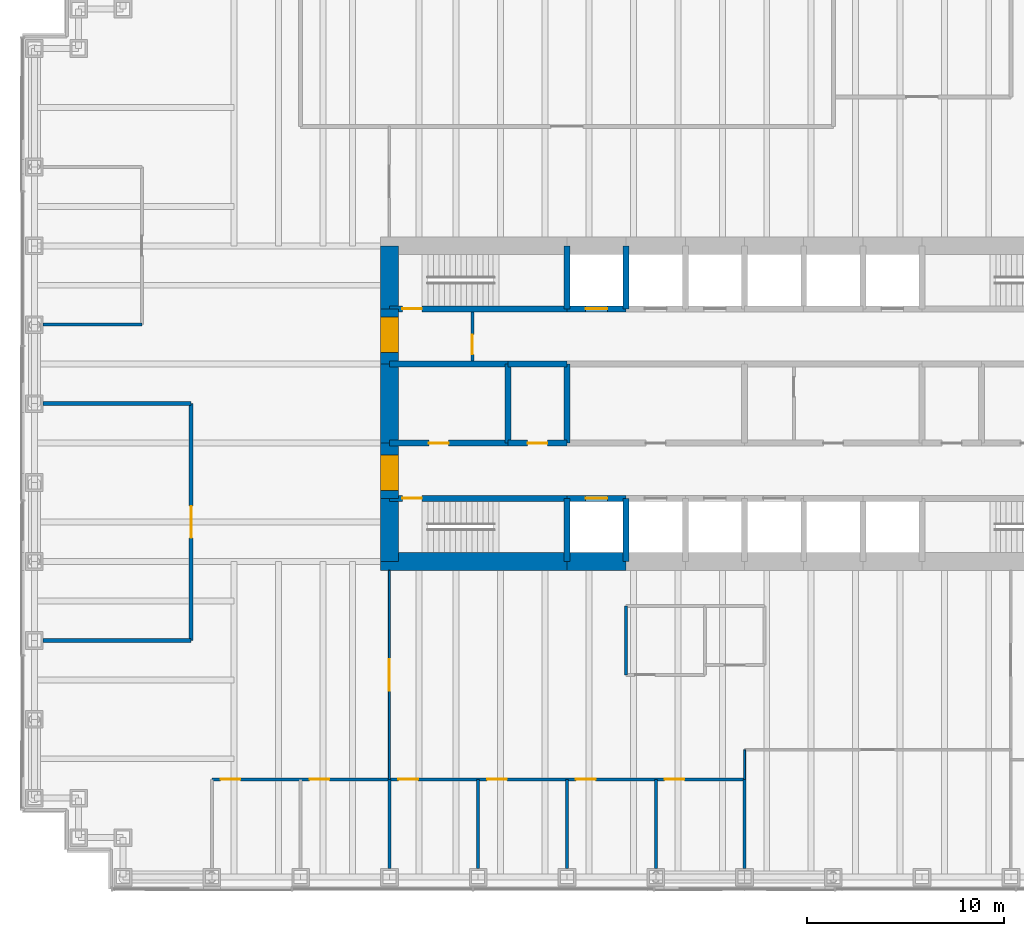
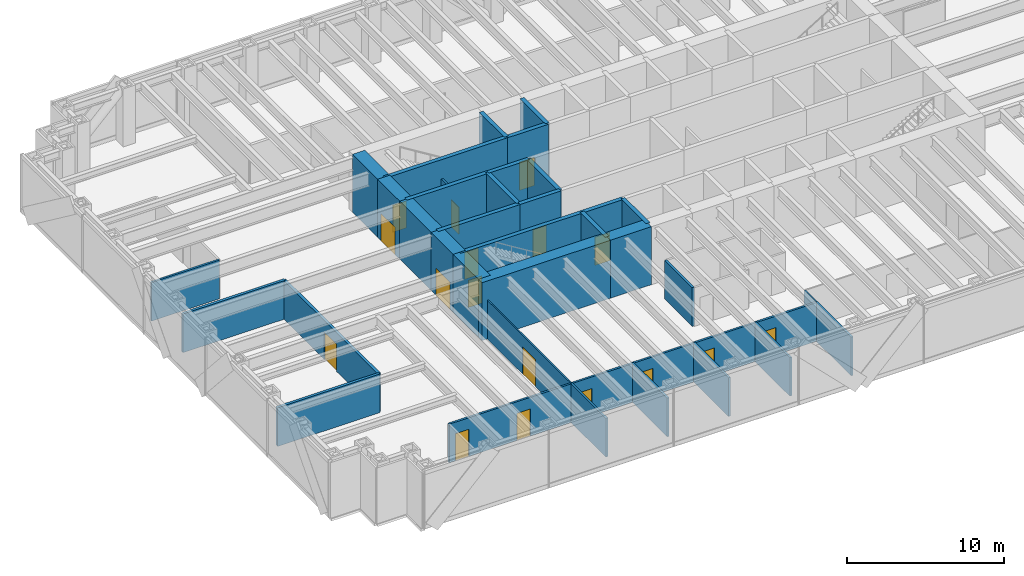
# One storey, part 9 of 13: 35 walls, 17 doors, 17 openings.
"""IFC4 building model written with IfcOpenShell, lengths in metres."""

from ifc_helpers import new_model, si_unit, direction, frame, frame_2d, origin, place, context, subcontext, project, spatial, rectangle, extrude, material, layer, layer_set, type_object, element, fill, save


model = new_model("IFC4")

# Units and contexts
model_context = context("Model", 3, precision=1e-05, world=origin(), true_north=direction((0.0, 1.0)))
body_context = subcontext(model_context, "Body", "Model", "MODEL_VIEW")
ifc_project = project(units=[si_unit("LENGTHUNIT", "METRE"), si_unit("AREAUNIT", "SQUARE_METRE"), si_unit("VOLUMEUNIT", "CUBIC_METRE"), si_unit("PLANEANGLEUNIT", "RADIAN"), si_unit("MASSUNIT", "GRAM", prefix="KILO")], contexts=[model_context])

# Site, building, storey
site_placement = place(None, origin())
site = spatial("IfcSite", under=ifc_project, at=site_placement, CompositionType="ELEMENT")
building_placement = place(site_placement, origin())
building = spatial("IfcBuilding", under=site, at=building_placement, Name="Rheinbord Bourse Tower", CompositionType="ELEMENT")
storey_placement = place(building_placement, frame((0.0, 0.0, 63.5)))
storey = spatial("IfcBuildingStorey", under=building, at=storey_placement, Name="L13", CompositionType="ELEMENT", Elevation=63.5)

# Walls
ifc_material_1 = material(Name="Acoustic gypsum board partition", Category="gypsum board")
ifc_layer_1 = layer(ifc_material_1, 0.199951171875)
ifc_layer_set_1 = layer_set([ifc_layer_1], Name="ACOUSTIC PARTITION 200")
wall_type_1 = type_object("IfcWallType", Name="ACOUSTIC PARTITION 200", PredefinedType="PARTITIONING", material=ifc_layer_set_1)
for number, where, z_axis, x_axis, name in (
    (1, (0.449951171875, 12.0, 0.0), (0.0, 0.0, 1.0), (1.0, 0.0, 0.0), "Partition L13-07"),
    (2, (0.449951171875, 24.0, 0.0), (0.0, 0.0, 1.0), (1.0, 0.0, 0.0), "Partition L13-12"),
):
    element("IfcWall", number, at=place(storey_placement, frame(where, z_axis=z_axis, x_axis=x_axis)), inside=storey, type_object=wall_type_1, Name=name, PredefinedType="PARTITIONING", context=body_context, shape_type="SweptSolid", body=[
        extrude(rectangle(XDim=7.5, YDim=0.199951171875, at=frame_2d((3.75, 0.0))), origin(), (0.0, 0.0, 1.0), 3.0),
    ])

# Wall, opening, door
wall_1_placement = place(storey_placement, frame((7.949951171875, 12.0, 0.0), z_axis=(0.0, 0.0, 1.0), x_axis=(0.0, 1.0, 0.0)))
wall_1 = element("IfcWall", 3, at=wall_1_placement, inside=storey, type_object=wall_type_1, Name="Partition L13-21", PredefinedType="PARTITIONING", context=body_context, shape_type="SweptSolid", body=[
    extrude(rectangle(XDim=12.0, YDim=0.199951171875, at=frame_2d((6.0, 0.0))), origin(), (0.0, 0.0, 1.0), 3.0),
])
opening_1_placement = place(wall_1_placement, frame((5.199951171875, 0.0, 0.0)))
opening_1 = element("IfcOpeningElement", 4, at=opening_1_placement, cuts=wall_1, Name="Opening 13D12", PredefinedType="OPENING", context=body_context, shape_type="SweptSolid", body=[
    extrude(rectangle(XDim=1.60009765625, YDim=2.10009765625, at=frame_2d((0.800048828125, 1.050048828125))), frame((0.0, 0.10986328125, 0.0), z_axis=(0.0, -1.0, 0.0), x_axis=(1.0, 0.0, 0.0)), (0.0, 0.0, 1.0), 0.219970703125),
])
ifc_material_2 = material(Name="Timber door", Category="wood")
door_type_1 = type_object("IfcDoorType", Name="DOUBLE ROOM DOOR 1600", OperationType="DOUBLE_DOOR_DOUBLE_SWING", PredefinedType="DOOR", material=ifc_material_2)
door_1_placement = place(opening_1_placement, origin())
door_1 = element("IfcDoor", 5, at=door_1_placement, inside=storey, type_object=door_type_1, Name="Settlement control room door L13", OperationType="SINGLE_SWING_LEFT", OverallHeight=2.10009765625, OverallWidth=1.60009765625, PredefinedType="DOOR", context=body_context, shape_type="SweptSolid", body=[
    extrude(rectangle(XDim=1.60009765625, YDim=2.10009765625, at=frame_2d((0.800048828125, 1.050048828125))), frame((0.0, 0.02490234375, 0.0), z_axis=(0.0, -1.0, 0.0), x_axis=(1.0, 0.0, 0.0)), (0.0, 0.0, 1.0), 0.050048828125),
])
fill(opening_1, door_1)

ifc_material_3 = material(Name="Concrete C50/60", Category="concrete")
ifc_layer_2 = layer(ifc_material_3, 0.300048828125)
ifc_layer_set_2 = layer_set([ifc_layer_2], Name="CORE INNER WALL 300")
wall_type_2 = type_object("IfcWallType", Name="CORE INNER WALL 300", PredefinedType="SOLIDWALL", material=ifc_layer_set_2)
wall_2_placement = place(storey_placement, frame((18.0, 19.199951171875, 0.0), z_axis=(0.0, 0.0, 1.0), x_axis=(1.0, 0.0, 0.0)))
wall_2 = element("IfcWall", 6, at=wall_2_placement, inside=storey, type_object=wall_type_2, Name="Core wall A1 L13", PredefinedType="SOLIDWALL", context=body_context, shape_type="SweptSolid", body=[
    extrude(rectangle(XDim=9.0, YDim=0.300048828125, at=frame_2d((4.5, 0.0))), origin(), (0.0, 0.0, 1.0), 4.5),
])
opening_2_placement = place(wall_2_placement, frame((0.64990234375, 0.0, 0.0)))
opening_2 = element("IfcOpeningElement", 7, at=opening_2_placement, cuts=wall_2, Name="Opening 1310", PredefinedType="OPENING", context=body_context, shape_type="SweptSolid", body=[
    extrude(rectangle(XDim=1.0, YDim=2.10009765625, at=frame_2d((0.5, 1.050048828125))), frame((0.0, 0.159912109375, 0.0), z_axis=(0.0, -1.0, 0.0), x_axis=(1.0, 0.0, 0.0)), (0.0, 0.0, 1.0), 0.320068359375),
])
ifc_material_4 = material(Name="Steel door", Category="steel")
door_type_2 = type_object("IfcDoorType", Name="DOOR 1000 EI30", OperationType="SINGLE_SWING_LEFT", PredefinedType="DOOR", material=ifc_material_4)
door_2_placement = place(opening_2_placement, origin())
door_2 = element("IfcDoor", 8, at=door_2_placement, inside=storey, type_object=door_type_2, Name="Stair door ST1 L13", OperationType="SINGLE_SWING_LEFT", OverallHeight=2.10009765625, OverallWidth=1.0, PredefinedType="DOOR", context=body_context, shape_type="SweptSolid", body=[
    extrude(rectangle(XDim=1.0, YDim=2.10009765625, at=frame_2d((0.5, 1.050048828125))), frame((0.0, 0.02490234375, 0.0), z_axis=(0.0, -1.0, 0.0), x_axis=(1.0, 0.0, 0.0)), (0.0, 0.0, 1.0), 0.050048828125),
])
fill(opening_2, door_2)

wall_3_placement = place(storey_placement, frame((27.0, 19.199951171875, 0.0), z_axis=(0.0, 0.0, 1.0), x_axis=(1.0, 0.0, 0.0)))
wall_3 = element("IfcWall", 9, at=wall_3_placement, inside=storey, type_object=wall_type_2, Name="Core wall A2 L13", PredefinedType="SOLIDWALL", context=body_context, shape_type="SweptSolid", body=[
    extrude(rectangle(XDim=3.0, YDim=0.300048828125, at=frame_2d((1.5, 0.0))), origin(), (0.0, 0.0, 1.0), 4.5),
])
opening_3_placement = place(wall_3_placement, frame((0.949951171875, 0.0, 0.0)))
opening_3 = element("IfcOpeningElement", 10, at=opening_3_placement, cuts=wall_3, Name="Opening FL1", PredefinedType="OPENING", context=body_context, shape_type="SweptSolid", body=[
    extrude(rectangle(XDim=1.10009765625, YDim=2.199951171875, at=frame_2d((0.550048828125, 1.10009765625))), frame((0.0, 0.159912109375, 0.0), z_axis=(0.0, -1.0, 0.0), x_axis=(1.0, 0.0, 0.0)), (0.0, 0.0, 1.0), 0.320068359375),
])
ifc_material_5 = material(Name="Steel landing door", Category="steel")
door_type_3 = type_object("IfcDoorType", Name="LIFT LANDING DOOR 1100", OperationType="DOUBLE_DOOR_SLIDING", PredefinedType="USERDEFINED", material=ifc_material_5)
door_3_placement = place(opening_3_placement, origin())
door_3 = element("IfcDoor", 11, at=door_3_placement, inside=storey, type_object=door_type_3, Name="Lift landing door FL1 L13", ObjectType="LIFT LANDING DOOR", OperationType="DOUBLE_DOOR_SLIDING", OverallHeight=2.199951171875, OverallWidth=1.10009765625, PredefinedType="USERDEFINED", context=body_context, shape_type="SweptSolid", body=[
    extrude(rectangle(XDim=1.10009765625, YDim=2.199951171875, at=frame_2d((0.550048828125, 1.10009765625))), frame((0.0, 0.02490234375, 0.0), z_axis=(0.0, -1.0, 0.0), x_axis=(1.0, 0.0, 0.0)), (0.0, 0.0, 1.0), 0.050048828125),
])
fill(opening_3, door_3)

wall_4_placement = place(storey_placement, frame((18.0, 28.800048828125, 0.0), z_axis=(0.0, 0.0, 1.0), x_axis=(1.0, 0.0, 0.0)))
wall_4 = element("IfcWall", 12, at=wall_4_placement, inside=storey, type_object=wall_type_2, Name="Core wall B1 L13", PredefinedType="SOLIDWALL", context=body_context, shape_type="SweptSolid", body=[
    extrude(rectangle(XDim=9.0, YDim=0.300048828125, at=frame_2d((4.5, 0.0))), origin(), (0.0, 0.0, 1.0), 4.5),
])
opening_4_placement = place(wall_4_placement, frame((0.64990234375, 0.0, 0.0)))
opening_4 = element("IfcOpeningElement", 13, at=opening_4_placement, cuts=wall_4, Name="Opening 1320", PredefinedType="OPENING", context=body_context, shape_type="SweptSolid", body=[
    extrude(rectangle(XDim=1.0, YDim=2.10009765625, at=frame_2d((0.5, 1.050048828125))), frame((0.0, 0.159912109375, 0.0), z_axis=(0.0, -1.0, 0.0), x_axis=(1.0, 0.0, 0.0)), (0.0, 0.0, 1.0), 0.320068359375),
])
door_4_placement = place(opening_4_placement, origin())
door_4 = element("IfcDoor", 14, at=door_4_placement, inside=storey, type_object=door_type_2, Name="Stair door ST2 L13", OperationType="SINGLE_SWING_LEFT", OverallHeight=2.10009765625, OverallWidth=1.0, PredefinedType="DOOR", context=body_context, shape_type="SweptSolid", body=[
    extrude(rectangle(XDim=1.0, YDim=2.10009765625, at=frame_2d((0.5, 1.050048828125))), frame((0.0, 0.02490234375, 0.0), z_axis=(0.0, -1.0, 0.0), x_axis=(1.0, 0.0, 0.0)), (0.0, 0.0, 1.0), 0.050048828125),
])
fill(opening_4, door_4)

wall_5_placement = place(storey_placement, frame((27.0, 28.800048828125, 0.0), z_axis=(0.0, 0.0, 1.0), x_axis=(1.0, 0.0, 0.0)))
wall_5 = element("IfcWall", 15, at=wall_5_placement, inside=storey, type_object=wall_type_2, Name="Core wall B2 L13", PredefinedType="SOLIDWALL", context=body_context, shape_type="SweptSolid", body=[
    extrude(rectangle(XDim=3.0, YDim=0.300048828125, at=frame_2d((1.5, 0.0))), origin(), (0.0, 0.0, 1.0), 4.5),
])
opening_5_placement = place(wall_5_placement, frame((0.949951171875, 0.0, 0.0)))
opening_5 = element("IfcOpeningElement", 16, at=opening_5_placement, cuts=wall_5, Name="Opening GL1", PredefinedType="OPENING", context=body_context, shape_type="SweptSolid", body=[
    extrude(rectangle(XDim=1.10009765625, YDim=2.199951171875, at=frame_2d((0.550048828125, 1.10009765625))), frame((0.0, 0.159912109375, 0.0), z_axis=(0.0, -1.0, 0.0), x_axis=(1.0, 0.0, 0.0)), (0.0, 0.0, 1.0), 0.320068359375),
])
door_5_placement = place(opening_5_placement, origin())
door_5 = element("IfcDoor", 17, at=door_5_placement, inside=storey, type_object=door_type_3, Name="Lift landing door GL1 L13", ObjectType="LIFT LANDING DOOR", OperationType="DOUBLE_DOOR_SLIDING", OverallHeight=2.199951171875, OverallWidth=1.10009765625, PredefinedType="USERDEFINED", context=body_context, shape_type="SweptSolid", body=[
    extrude(rectangle(XDim=1.10009765625, YDim=2.199951171875, at=frame_2d((0.550048828125, 1.10009765625))), frame((0.0, 0.02490234375, 0.0), z_axis=(0.0, -1.0, 0.0), x_axis=(1.0, 0.0, 0.0)), (0.0, 0.0, 1.0), 0.050048828125),
])
fill(opening_5, door_5)

wall_6_placement = place(storey_placement, frame((18.0, 22.0, 0.0), z_axis=(0.0, 0.0, 1.0), x_axis=(1.0, 0.0, 0.0)))
wall_6 = element("IfcWall", 18, at=wall_6_placement, inside=storey, type_object=wall_type_2, Name="Core wall C1 L13", PredefinedType="SOLIDWALL", context=body_context, shape_type="SweptSolid", body=[
    extrude(rectangle(XDim=6.0, YDim=0.300048828125, at=frame_2d((3.0, 0.0))), origin(), (0.0, 0.0, 1.0), 4.5),
])
opening_6_placement = place(wall_6_placement, frame((2.0, 0.0, 0.0)))
opening_6 = element("IfcOpeningElement", 19, at=opening_6_placement, cuts=wall_6, Name="Opening 13R1", PredefinedType="OPENING", context=body_context, shape_type="SweptSolid", body=[
    extrude(rectangle(XDim=1.0, YDim=2.10009765625, at=frame_2d((0.5, 1.050048828125))), frame((0.0, 0.159912109375, 0.0), z_axis=(0.0, -1.0, 0.0), x_axis=(1.0, 0.0, 0.0)), (0.0, 0.0, 1.0), 0.320068359375),
])
ifc_material_6 = material(Name="Timber door", Category="wood")
door_type_4 = type_object("IfcDoorType", Name="DOOR 1000 WC", OperationType="SINGLE_SWING_LEFT", PredefinedType="DOOR", material=ifc_material_6)
door_6_placement = place(opening_6_placement, origin())
door_6 = element("IfcDoor", 20, at=door_6_placement, inside=storey, type_object=door_type_4, Name="WC men door L13", OperationType="SINGLE_SWING_LEFT", OverallHeight=2.10009765625, OverallWidth=1.0, PredefinedType="DOOR", context=body_context, shape_type="SweptSolid", body=[
    extrude(rectangle(XDim=1.0, YDim=2.10009765625, at=frame_2d((0.5, 1.050048828125))), frame((0.0, 0.02490234375, 0.0), z_axis=(0.0, -1.0, 0.0), x_axis=(1.0, 0.0, 0.0)), (0.0, 0.0, 1.0), 0.050048828125),
])
fill(opening_6, door_6)

wall_7_placement = place(storey_placement, frame((24.0, 22.0, 0.0), z_axis=(0.0, 0.0, 1.0), x_axis=(1.0, 0.0, 0.0)))
wall_7 = element("IfcWall", 21, at=wall_7_placement, inside=storey, type_object=wall_type_2, Name="Core wall C2 L13", PredefinedType="SOLIDWALL", context=body_context, shape_type="SweptSolid", body=[
    extrude(rectangle(XDim=3.0, YDim=0.300048828125, at=frame_2d((1.5, 0.0))), origin(), (0.0, 0.0, 1.0), 4.5),
])
opening_7_placement = place(wall_7_placement, frame((1.0, 0.0, 0.0)))
opening_7 = element("IfcOpeningElement", 22, at=opening_7_placement, cuts=wall_7, Name="Opening 13R2", PredefinedType="OPENING", context=body_context, shape_type="SweptSolid", body=[
    extrude(rectangle(XDim=1.0, YDim=2.10009765625, at=frame_2d((0.5, 1.050048828125))), frame((0.0, 0.159912109375, 0.0), z_axis=(0.0, -1.0, 0.0), x_axis=(1.0, 0.0, 0.0)), (0.0, 0.0, 1.0), 0.320068359375),
])
door_7_placement = place(opening_7_placement, origin())
door_7 = element("IfcDoor", 23, at=door_7_placement, inside=storey, type_object=door_type_4, Name="Accessible WC door L13", OperationType="SINGLE_SWING_LEFT", OverallHeight=2.10009765625, OverallWidth=1.0, PredefinedType="DOOR", context=body_context, shape_type="SweptSolid", body=[
    extrude(rectangle(XDim=1.0, YDim=2.10009765625, at=frame_2d((0.5, 1.050048828125))), frame((0.0, 0.02490234375, 0.0), z_axis=(0.0, -1.0, 0.0), x_axis=(1.0, 0.0, 0.0)), (0.0, 0.0, 1.0), 0.050048828125),
])
fill(opening_7, door_7)

# Walls
wall_8_placement = place(storey_placement, frame((18.0, 26.0, 0.0), z_axis=(0.0, 0.0, 1.0), x_axis=(1.0, 0.0, 0.0)))
element("IfcWall", 24, at=wall_8_placement, inside=storey, type_object=wall_type_2, Name="Core wall D1 L13", PredefinedType="SOLIDWALL", context=body_context, shape_type="SweptSolid", body=[
    extrude(rectangle(XDim=6.0, YDim=0.300048828125, at=frame_2d((3.0, 0.0))), origin(), (0.0, 0.0, 1.0), 4.5),
])
wall_9_placement = place(storey_placement, frame((24.0, 26.0, 0.0), z_axis=(0.0, 0.0, 1.0), x_axis=(1.0, 0.0, 0.0)))
element("IfcWall", 25, at=wall_9_placement, inside=storey, type_object=wall_type_2, Name="Core wall D2 L13", PredefinedType="SOLIDWALL", context=body_context, shape_type="SweptSolid", body=[
    extrude(rectangle(XDim=3.0, YDim=0.300048828125, at=frame_2d((1.5, 0.0))), origin(), (0.0, 0.0, 1.0), 4.5),
])
for number, where, z_axis, x_axis, name in (
    (26, (27.0, 16.0, 0.0), (0.0, 0.0, 1.0), (0.0, 1.0, 0.0), "Core wall SX27 L13"),
    (27, (27.0, 28.800048828125, 0.0), (0.0, 0.0, 1.0), (0.0, 1.0, 0.0), "Core wall NX27 L13"),
    (28, (30.0, 16.0, 0.0), (0.0, 0.0, 1.0), (0.0, 1.0, 0.0), "Core wall SX30 L13"),
    (29, (30.0, 28.800048828125, 0.0), (0.0, 0.0, 1.0), (0.0, 1.0, 0.0), "Core wall NX30 L13"),
):
    element("IfcWall", number, at=place(storey_placement, frame(where, z_axis=z_axis, x_axis=x_axis)), inside=storey, type_object=wall_type_2, Name=name, PredefinedType="SOLIDWALL", context=body_context, shape_type="SweptSolid", body=[
        extrude(rectangle(XDim=3.199951171875, YDim=0.300048828125, at=frame_2d((1.60009765625, 0.0))), origin(), (0.0, 0.0, 1.0), 4.5),
    ])
for number, where, z_axis, x_axis, name in (
    (30, (24.0, 22.0, 0.0), (0.0, 0.0, 1.0), (0.0, 1.0, 0.0), "Core wall MX24 L13"),
    (31, (27.0, 22.0, 0.0), (0.0, 0.0, 1.0), (0.0, 1.0, 0.0), "Core wall MX27 L13"),
):
    element("IfcWall", number, at=place(storey_placement, frame(where, z_axis=z_axis, x_axis=x_axis)), inside=storey, type_object=wall_type_2, Name=name, PredefinedType="SOLIDWALL", context=body_context, shape_type="SweptSolid", body=[
        extrude(rectangle(XDim=4.0, YDim=0.300048828125, at=frame_2d((2.0, 0.0))), origin(), (0.0, 0.0, 1.0), 4.5),
    ])

# Wall, opening, door
ifc_material_7 = material(Name="Gypsum board fire partition", Category="gypsum board")
ifc_layer_3 = layer(ifc_material_7, 0.14990234375)
ifc_layer_set_3 = layer_set([ifc_layer_3], Name="CORE PARTITION 150 EI30")
wall_type_3 = type_object("IfcWallType", Name="CORE PARTITION 150 EI30", PredefinedType="PARTITIONING", material=ifc_layer_set_3)
wall_10_placement = place(storey_placement, frame((22.199951171875, 26.14990234375, 0.0), z_axis=(0.0, 0.0, 1.0), x_axis=(0.0, 1.0, 0.0)))
wall_10 = element("IfcWall", 32, at=wall_10_placement, inside=storey, type_object=wall_type_3, Name="Core partition L13-5", PredefinedType="PARTITIONING", context=body_context, shape_type="SweptSolid", body=[
    extrude(rectangle(XDim=2.5, YDim=0.14990234375, at=frame_2d((1.25, 0.0))), origin(), (0.0, 0.0, 1.0), 3.0),
])
opening_8_placement = place(wall_10_placement, frame((0.35009765625, 0.0, 0.0)))
opening_8 = element("IfcOpeningElement", 33, at=opening_8_placement, cuts=wall_10, Name="Opening 13L6", PredefinedType="OPENING", context=body_context, shape_type="SweptSolid", body=[
    extrude(rectangle(XDim=1.0, YDim=2.10009765625, at=frame_2d((0.5, 1.050048828125))), frame((0.0, 0.0849609375, 0.0), z_axis=(0.0, -1.0, 0.0), x_axis=(1.0, 0.0, 0.0)), (0.0, 0.0, 1.0), 0.169921875),
])
door_8_placement = place(opening_8_placement, origin())
door_8 = element("IfcDoor", 34, at=door_8_placement, inside=storey, type_object=door_type_2, Name="Stair lobby door L13", OperationType="SINGLE_SWING_LEFT", OverallHeight=2.10009765625, OverallWidth=1.0, PredefinedType="DOOR", context=body_context, shape_type="SweptSolid", body=[
    extrude(rectangle(XDim=1.0, YDim=2.10009765625, at=frame_2d((0.5, 1.050048828125))), frame((0.0, 0.02490234375, 0.0), z_axis=(0.0, -1.0, 0.0), x_axis=(1.0, 0.0, 0.0)), (0.0, 0.0, 1.0), 0.050048828125),
])
fill(opening_8, door_8)

# Walls
ifc_material_8 = material(Name="Concrete C50/60", Category="concrete")
ifc_layer_4 = layer(ifc_material_8, 0.89990234375)
ifc_layer_set_4 = layer_set([ifc_layer_4], Name="CORE WALL 900")
wall_type_4 = type_object("IfcWallType", Name="CORE WALL 900", PredefinedType="SHEAR", material=ifc_layer_set_4)
wall_11_placement = place(storey_placement, frame((17.550048828125, 16.0, 0.0), z_axis=(0.0, 0.0, 1.0), x_axis=(1.0, 0.0, 0.0)))
element("IfcWall", 35, at=wall_11_placement, inside=storey, type_object=wall_type_4, Name="Core wall S1 L13", PredefinedType="SHEAR", context=body_context, shape_type="SweptSolid", body=[
    extrude(rectangle(XDim=9.449951171875, YDim=0.89990234375, at=frame_2d((4.72509765625, 0.0))), origin(), (0.0, 0.0, 1.0), 4.5),
])
wall_12_placement = place(storey_placement, frame((27.0, 16.0, 0.0), z_axis=(0.0, 0.0, 1.0), x_axis=(1.0, 0.0, 0.0)))
element("IfcWall", 36, at=wall_12_placement, inside=storey, type_object=wall_type_4, Name="Core wall S2 L13", PredefinedType="SHEAR", context=body_context, shape_type="SweptSolid", body=[
    extrude(rectangle(XDim=3.0, YDim=0.89990234375, at=frame_2d((1.5, 0.0))), origin(), (0.0, 0.0, 1.0), 4.5),
])
wall_13_placement = place(storey_placement, frame((18.0, 32.0, 0.0), z_axis=(0.0, 0.0, 1.0), x_axis=(0.0, -1.0, 0.0)))
element("IfcWall", 37, at=wall_13_placement, inside=storey, type_object=wall_type_4, Name="Core wall W1 L13", PredefinedType="SHEAR", context=body_context, shape_type="SweptSolid", body=[
    extrude(rectangle(XDim=3.199951171875, YDim=0.89990234375, at=frame_2d((1.60009765625, 0.0))), origin(), (0.0, 0.0, 1.0), 4.5),
])

# Wall, opening, door
wall_14_placement = place(storey_placement, frame((18.0, 28.800048828125, 0.0), z_axis=(0.0, 0.0, 1.0), x_axis=(0.0, -1.0, 0.0)))
wall_14 = element("IfcWall", 38, at=wall_14_placement, inside=storey, type_object=wall_type_4, Name="Core wall W2 L13", PredefinedType="SHEAR", context=body_context, shape_type="SweptSolid", body=[
    extrude(rectangle(XDim=2.800048828125, YDim=0.89990234375, at=frame_2d((1.39990234375, 0.0))), origin(), (0.0, 0.0, 1.0), 4.5),
])
opening_9_placement = place(wall_14_placement, frame((0.39990234375, 0.0, 0.0)))
opening_9 = element("IfcOpeningElement", 39, at=opening_9_placement, cuts=wall_14, Name="Opening 13L2", PredefinedType="OPENING", context=body_context, shape_type="SweptSolid", body=[
    extrude(rectangle(XDim=1.800048828125, YDim=2.10009765625, at=frame_2d((0.89990234375, 1.050048828125))), frame((0.0, 0.4599609375, 0.0), z_axis=(0.0, -1.0, 0.0), x_axis=(1.0, 0.0, 0.0)), (0.0, 0.0, 1.0), 0.919921875),
])
ifc_material_9 = material(Name="Steel door", Category="steel")
door_type_5 = type_object("IfcDoorType", Name="DOOR 1800 EI30 DOUBLE", OperationType="DOUBLE_DOOR_DOUBLE_SWING", PredefinedType="DOOR", material=ifc_material_9)
door_9_placement = place(opening_9_placement, origin())
door_9 = element("IfcDoor", 40, at=door_9_placement, inside=storey, type_object=door_type_5, Name="Lobby door 2 L13", OperationType="SINGLE_SWING_LEFT", OverallHeight=2.10009765625, OverallWidth=1.800048828125, PredefinedType="DOOR", context=body_context, shape_type="SweptSolid", body=[
    extrude(rectangle(XDim=1.800048828125, YDim=2.10009765625, at=frame_2d((0.89990234375, 1.050048828125))), frame((0.0, 0.44970703125, 0.0), z_axis=(0.0, -1.0, 0.0), x_axis=(1.0, 0.0, 0.0)), (0.0, 0.0, 1.0), 0.8994140625),
])
fill(opening_9, door_9)

# Wall
wall_15_placement = place(storey_placement, frame((18.0, 26.0, 0.0), z_axis=(0.0, 0.0, 1.0), x_axis=(0.0, -1.0, 0.0)))
element("IfcWall", 41, at=wall_15_placement, inside=storey, type_object=wall_type_4, Name="Core wall W3 L13", PredefinedType="SHEAR", context=body_context, shape_type="SweptSolid", body=[
    extrude(rectangle(XDim=4.0, YDim=0.89990234375, at=frame_2d((2.0, 0.0))), origin(), (0.0, 0.0, 1.0), 4.5),
])

# Wall, opening, door
wall_16_placement = place(storey_placement, frame((18.0, 22.0, 0.0), z_axis=(0.0, 0.0, 1.0), x_axis=(0.0, -1.0, 0.0)))
wall_16 = element("IfcWall", 42, at=wall_16_placement, inside=storey, type_object=wall_type_4, Name="Core wall W4 L13", PredefinedType="SHEAR", context=body_context, shape_type="SweptSolid", body=[
    extrude(rectangle(XDim=2.800048828125, YDim=0.89990234375, at=frame_2d((1.39990234375, 0.0))), origin(), (0.0, 0.0, 1.0), 4.5),
])
opening_10_placement = place(wall_16_placement, frame((0.60009765625, 0.0, 0.0)))
opening_10 = element("IfcOpeningElement", 43, at=opening_10_placement, cuts=wall_16, Name="Opening 13L1", PredefinedType="OPENING", context=body_context, shape_type="SweptSolid", body=[
    extrude(rectangle(XDim=1.800048828125, YDim=2.10009765625, at=frame_2d((0.89990234375, 1.050048828125))), frame((0.0, 0.4599609375, 0.0), z_axis=(0.0, -1.0, 0.0), x_axis=(1.0, 0.0, 0.0)), (0.0, 0.0, 1.0), 0.919921875),
])
door_10_placement = place(opening_10_placement, origin())
door_10 = element("IfcDoor", 44, at=door_10_placement, inside=storey, type_object=door_type_5, Name="Lobby door 1 L13", OperationType="SINGLE_SWING_LEFT", OverallHeight=2.10009765625, OverallWidth=1.800048828125, PredefinedType="DOOR", context=body_context, shape_type="SweptSolid", body=[
    extrude(rectangle(XDim=1.800048828125, YDim=2.10009765625, at=frame_2d((0.89990234375, 1.050048828125))), frame((0.0, 0.44970703125, 0.0), z_axis=(0.0, -1.0, 0.0), x_axis=(1.0, 0.0, 0.0)), (0.0, 0.0, 1.0), 0.8994140625),
])
fill(opening_10, door_10)

# Walls
wall_17_placement = place(storey_placement, frame((18.0, 19.199951171875, 0.0), z_axis=(0.0, 0.0, 1.0), x_axis=(0.0, -1.0, 0.0)))
element("IfcWall", 45, at=wall_17_placement, inside=storey, type_object=wall_type_4, Name="Core wall W5 L13", PredefinedType="SHEAR", context=body_context, shape_type="SweptSolid", body=[
    extrude(rectangle(XDim=3.199951171875, YDim=0.89990234375, at=frame_2d((1.60009765625, 0.0))), origin(), (0.0, 0.0, 1.0), 4.5),
])
ifc_material_10 = material(Name="Gypsum board fire partition", Category="gypsum board")
ifc_layer_5 = layer(ifc_material_10, 0.14990234375)
ifc_layer_set_5 = layer_set([ifc_layer_5], Name="FIRE PARTITION 150 EI60")
wall_type_5 = type_object("IfcWallType", Name="FIRE PARTITION 150 EI60", PredefinedType="PARTITIONING", material=ifc_layer_set_5)
wall_18_placement = place(storey_placement, frame((0.449951171875, 28.0, 0.0), z_axis=(0.0, 0.0, 1.0), x_axis=(1.0, 0.0, 0.0)))
element("IfcWall", 46, at=wall_18_placement, inside=storey, type_object=wall_type_5, Name="Partition L13-13", PredefinedType="PARTITIONING", context=body_context, shape_type="SweptSolid", body=[
    extrude(rectangle(XDim=5.0, YDim=0.14990234375, at=frame_2d((2.5, 0.0))), origin(), (0.0, 0.0, 1.0), 3.0),
])
wall_19_placement = place(storey_placement, frame((30.0, 10.25, 0.0), z_axis=(0.0, 0.0, 1.0), x_axis=(0.0, 1.0, 0.0)))
element("IfcWall", 47, at=wall_19_placement, inside=storey, type_object=wall_type_5, Name="Partition L13-30", PredefinedType="PARTITIONING", context=body_context, shape_type="SweptSolid", body=[
    extrude(rectangle(XDim=3.5, YDim=0.14990234375, at=frame_2d((1.75, 0.0))), origin(), (0.0, 0.0, 1.0), 3.0),
])

# Wall, opening, door
ifc_material_11 = material(Name="Toughened laminated glass partition", Category="glass")
ifc_layer_6 = layer(ifc_material_11, 0.10009765625)
ifc_layer_set_6 = layer_set([ifc_layer_6], Name="GLAZED PARTITION 100")
wall_type_6 = type_object("IfcWallType", Name="GLAZED PARTITION 100", PredefinedType="PARTITIONING", material=ifc_layer_set_6)
wall_20_placement = place(storey_placement, frame((18.0, 4.949951171875, 0.0), z_axis=(0.0, 0.0, 1.0), x_axis=(0.0, 1.0, 0.0)))
wall_20 = element("IfcWall", 48, at=wall_20_placement, inside=storey, type_object=wall_type_6, Name="Partition L13-26", PredefinedType="PARTITIONING", context=body_context, shape_type="SweptSolid", body=[
    extrude(rectangle(XDim=10.60009765625, YDim=0.10009765625, at=frame_2d((5.300048828125, 0.0))), origin(), (0.0, 0.0, 1.0), 3.0),
])
opening_11_placement = place(wall_20_placement, frame((4.5, 0.0, 0.0)))
opening_11 = element("IfcOpeningElement", 49, at=opening_11_placement, cuts=wall_20, Name="Opening 13D18", PredefinedType="OPENING", context=body_context, shape_type="SweptSolid", body=[
    extrude(rectangle(XDim=1.60009765625, YDim=2.10009765625, at=frame_2d((0.800048828125, 1.050048828125))), frame((0.0, 0.06005859375, 0.0), z_axis=(0.0, -1.0, 0.0), x_axis=(1.0, 0.0, 0.0)), (0.0, 0.0, 1.0), 0.1201171875),
])
door_11_placement = place(opening_11_placement, origin())
door_11 = element("IfcDoor", 50, at=door_11_placement, inside=storey, type_object=door_type_1, Name="Open area door L13", OperationType="SINGLE_SWING_LEFT", OverallHeight=2.10009765625, OverallWidth=1.60009765625, PredefinedType="DOOR", context=body_context, shape_type="SweptSolid", body=[
    extrude(rectangle(XDim=1.60009765625, YDim=2.10009765625, at=frame_2d((0.800048828125, 1.050048828125))), frame((0.0, 0.02490234375, 0.0), z_axis=(0.0, -1.0, 0.0), x_axis=(1.0, 0.0, 0.0)), (0.0, 0.0, 1.0), 0.050048828125),
])
fill(opening_11, door_11)

# Wall
wall_21_placement = place(storey_placement, frame((36.0, 4.949951171875, 0.0), z_axis=(0.0, 0.0, 1.0), x_axis=(0.0, 1.0, 0.0)))
element("IfcWall", 51, at=wall_21_placement, inside=storey, type_object=wall_type_6, Name="Partition L13-34", PredefinedType="PARTITIONING", context=body_context, shape_type="SweptSolid", body=[
    extrude(rectangle(XDim=1.5, YDim=0.10009765625, at=frame_2d((0.75, 0.0))), origin(), (0.0, 0.0, 1.0), 3.0),
])

# Wall, openings, doors
ifc_material_12 = material(Name="Gypsum board partition", Category="gypsum board")
ifc_layer_7 = layer(ifc_material_12, 0.14990234375)
ifc_layer_set_7 = layer_set([ifc_layer_7], Name="PARTITION 150")
wall_type_7 = type_object("IfcWallType", Name="PARTITION 150", PredefinedType="PARTITIONING", material=ifc_layer_set_7)
wall_22_placement = place(storey_placement, frame((9.0, 4.949951171875, 0.0), z_axis=(0.0, 0.0, 1.0), x_axis=(1.0, 0.0, 0.0)))
wall_22 = element("IfcWall", 52, at=wall_22_placement, inside=storey, type_object=wall_type_7, Name="Partition L13-01", PredefinedType="PARTITIONING", context=body_context, shape_type="SweptSolid", body=[
    extrude(rectangle(XDim=27.0, YDim=0.14990234375, at=frame_2d((13.5, 0.0))), origin(), (0.0, 0.0, 1.0), 3.0),
])
opening_12_placement = place(wall_22_placement, frame((0.449951171875, 0.0, 0.0)))
opening_12 = element("IfcOpeningElement", 53, at=opening_12_placement, cuts=wall_22, Name="Opening 13D01", PredefinedType="OPENING", context=body_context, shape_type="SweptSolid", body=[
    extrude(rectangle(XDim=1.0, YDim=2.10009765625, at=frame_2d((0.5, 1.050048828125))), frame((0.0, 0.0849609375, 0.0), z_axis=(0.0, -1.0, 0.0), x_axis=(1.0, 0.0, 0.0)), (0.0, 0.0, 1.0), 0.169921875),
])
opening_13_placement = place(wall_22_placement, frame((4.949951171875, 0.0, 0.0)))
opening_13 = element("IfcOpeningElement", 54, at=opening_13_placement, cuts=wall_22, Name="Opening 13D02", PredefinedType="OPENING", context=body_context, shape_type="SweptSolid", body=[
    extrude(rectangle(XDim=1.0, YDim=2.10009765625, at=frame_2d((0.5, 1.050048828125))), frame((0.0, 0.0849609375, 0.0), z_axis=(0.0, -1.0, 0.0), x_axis=(1.0, 0.0, 0.0)), (0.0, 0.0, 1.0), 0.169921875),
])
opening_14_placement = place(wall_22_placement, frame((9.449951171875, 0.0, 0.0)))
opening_14 = element("IfcOpeningElement", 55, at=opening_14_placement, cuts=wall_22, Name="Opening 13D03", PredefinedType="OPENING", context=body_context, shape_type="SweptSolid", body=[
    extrude(rectangle(XDim=1.0, YDim=2.10009765625, at=frame_2d((0.5, 1.050048828125))), frame((0.0, 0.0849609375, 0.0), z_axis=(0.0, -1.0, 0.0), x_axis=(1.0, 0.0, 0.0)), (0.0, 0.0, 1.0), 0.169921875),
])
opening_15_placement = place(wall_22_placement, frame((13.949951171875, 0.0, 0.0)))
opening_15 = element("IfcOpeningElement", 56, at=opening_15_placement, cuts=wall_22, Name="Opening 13D04", PredefinedType="OPENING", context=body_context, shape_type="SweptSolid", body=[
    extrude(rectangle(XDim=1.0, YDim=2.10009765625, at=frame_2d((0.5, 1.050048828125))), frame((0.0, 0.0849609375, 0.0), z_axis=(0.0, -1.0, 0.0), x_axis=(1.0, 0.0, 0.0)), (0.0, 0.0, 1.0), 0.169921875),
])
opening_16_placement = place(wall_22_placement, frame((18.449951171875, 0.0, 0.0)))
opening_16 = element("IfcOpeningElement", 57, at=opening_16_placement, cuts=wall_22, Name="Opening 13D05", PredefinedType="OPENING", context=body_context, shape_type="SweptSolid", body=[
    extrude(rectangle(XDim=1.0, YDim=2.10009765625, at=frame_2d((0.5, 1.050048828125))), frame((0.0, 0.0849609375, 0.0), z_axis=(0.0, -1.0, 0.0), x_axis=(1.0, 0.0, 0.0)), (0.0, 0.0, 1.0), 0.169921875),
])
opening_17_placement = place(wall_22_placement, frame((22.949951171875, 0.0, 0.0)))
opening_17 = element("IfcOpeningElement", 58, at=opening_17_placement, cuts=wall_22, Name="Opening 13D06", PredefinedType="OPENING", context=body_context, shape_type="SweptSolid", body=[
    extrude(rectangle(XDim=1.0, YDim=2.10009765625, at=frame_2d((0.5, 1.050048828125))), frame((0.0, 0.0849609375, 0.0), z_axis=(0.0, -1.0, 0.0), x_axis=(1.0, 0.0, 0.0)), (0.0, 0.0, 1.0), 0.169921875),
])
ifc_material_13 = material(Name="Timber door", Category="wood")
door_type_6 = type_object("IfcDoorType", Name="ROOM DOOR 1000", OperationType="SINGLE_SWING_LEFT", PredefinedType="DOOR", material=ifc_material_13)
door_12_placement = place(opening_12_placement, origin())
door_12 = element("IfcDoor", 59, at=door_12_placement, inside=storey, type_object=door_type_6, Name="Office door L13", OperationType="SINGLE_SWING_LEFT", OverallHeight=2.10009765625, OverallWidth=1.0, PredefinedType="DOOR", context=body_context, shape_type="SweptSolid", body=[
    extrude(rectangle(XDim=1.0, YDim=2.10009765625, at=frame_2d((0.5, 1.050048828125))), frame((0.0, 0.02490234375, 0.0), z_axis=(0.0, -1.0, 0.0), x_axis=(1.0, 0.0, 0.0)), (0.0, 0.0, 1.0), 0.050048828125),
])
fill(opening_12, door_12)
door_13_placement = place(opening_13_placement, origin())
door_13 = element("IfcDoor", 60, at=door_13_placement, inside=storey, type_object=door_type_6, Name="Office door L13", OperationType="SINGLE_SWING_LEFT", OverallHeight=2.10009765625, OverallWidth=1.0, PredefinedType="DOOR", context=body_context, shape_type="SweptSolid", body=[
    extrude(rectangle(XDim=1.0, YDim=2.10009765625, at=frame_2d((0.5, 1.050048828125))), frame((0.0, 0.02490234375, 0.0), z_axis=(0.0, -1.0, 0.0), x_axis=(1.0, 0.0, 0.0)), (0.0, 0.0, 1.0), 0.050048828125),
])
fill(opening_13, door_13)
door_14_placement = place(opening_14_placement, origin())
door_14 = element("IfcDoor", 61, at=door_14_placement, inside=storey, type_object=door_type_6, Name="Office door L13", OperationType="SINGLE_SWING_LEFT", OverallHeight=2.10009765625, OverallWidth=1.0, PredefinedType="DOOR", context=body_context, shape_type="SweptSolid", body=[
    extrude(rectangle(XDim=1.0, YDim=2.10009765625, at=frame_2d((0.5, 1.050048828125))), frame((0.0, 0.02490234375, 0.0), z_axis=(0.0, -1.0, 0.0), x_axis=(1.0, 0.0, 0.0)), (0.0, 0.0, 1.0), 0.050048828125),
])
fill(opening_14, door_14)
door_15_placement = place(opening_15_placement, origin())
door_15 = element("IfcDoor", 62, at=door_15_placement, inside=storey, type_object=door_type_6, Name="Office door L13", OperationType="SINGLE_SWING_RIGHT", OverallHeight=2.10009765625, OverallWidth=1.0, PredefinedType="DOOR", context=body_context, shape_type="SweptSolid", body=[
    extrude(rectangle(XDim=1.0, YDim=2.10009765625, at=frame_2d((0.5, 1.050048828125))), frame((0.0, 0.02490234375, 0.0), z_axis=(0.0, -1.0, 0.0), x_axis=(1.0, 0.0, 0.0)), (0.0, 0.0, 1.0), 0.050048828125),
])
fill(opening_15, door_15)
door_16_placement = place(opening_16_placement, origin())
door_16 = element("IfcDoor", 63, at=door_16_placement, inside=storey, type_object=door_type_6, Name="Office door L13", OperationType="SINGLE_SWING_RIGHT", OverallHeight=2.10009765625, OverallWidth=1.0, PredefinedType="DOOR", context=body_context, shape_type="SweptSolid", body=[
    extrude(rectangle(XDim=1.0, YDim=2.10009765625, at=frame_2d((0.5, 1.050048828125))), frame((0.0, 0.02490234375, 0.0), z_axis=(0.0, -1.0, 0.0), x_axis=(1.0, 0.0, 0.0)), (0.0, 0.0, 1.0), 0.050048828125),
])
fill(opening_16, door_16)
door_17_placement = place(opening_17_placement, origin())
door_17 = element("IfcDoor", 64, at=door_17_placement, inside=storey, type_object=door_type_6, Name="Office door L13", OperationType="SINGLE_SWING_RIGHT", OverallHeight=2.10009765625, OverallWidth=1.0, PredefinedType="DOOR", context=body_context, shape_type="SweptSolid", body=[
    extrude(rectangle(XDim=1.0, YDim=2.10009765625, at=frame_2d((0.5, 1.050048828125))), frame((0.0, 0.02490234375, 0.0), z_axis=(0.0, -1.0, 0.0), x_axis=(1.0, 0.0, 0.0)), (0.0, 0.0, 1.0), 0.050048828125),
])
fill(opening_17, door_17)

# Walls
for number, where, z_axis, x_axis, name in (
    (65, (18.0, 0.449951171875, 0.0), (0.0, 0.0, 1.0), (0.0, 1.0, 0.0), "Partition L13-25"),
    (66, (22.5, 0.449951171875, 0.0), (0.0, 0.0, 1.0), (0.0, 1.0, 0.0), "Partition L13-28"),
    (67, (27.0, 0.449951171875, 0.0), (0.0, 0.0, 1.0), (0.0, 1.0, 0.0), "Partition L13-29"),
    (68, (31.5, 0.449951171875, 0.0), (0.0, 0.0, 1.0), (0.0, 1.0, 0.0), "Partition L13-31"),
    (69, (36.0, 0.449951171875, 0.0), (0.0, 0.0, 1.0), (0.0, 1.0, 0.0), "Partition L13-33"),
):
    element("IfcWall", number, at=place(storey_placement, frame(where, z_axis=z_axis, x_axis=x_axis)), inside=storey, type_object=wall_type_7, Name=name, PredefinedType="PARTITIONING", context=body_context, shape_type="SweptSolid", body=[
        extrude(rectangle(XDim=4.5, YDim=0.14990234375, at=frame_2d((2.25, 0.0))), origin(), (0.0, 0.0, 1.0), 3.0),
    ])

save(model, "model.ifc")
